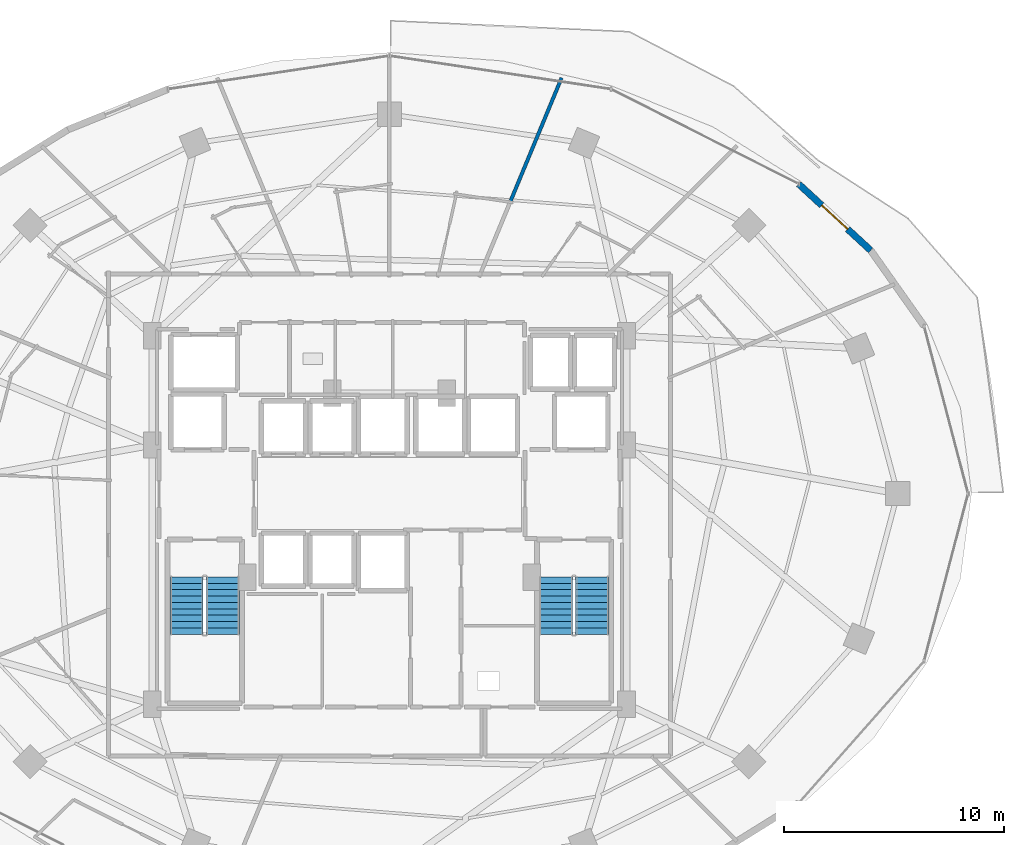
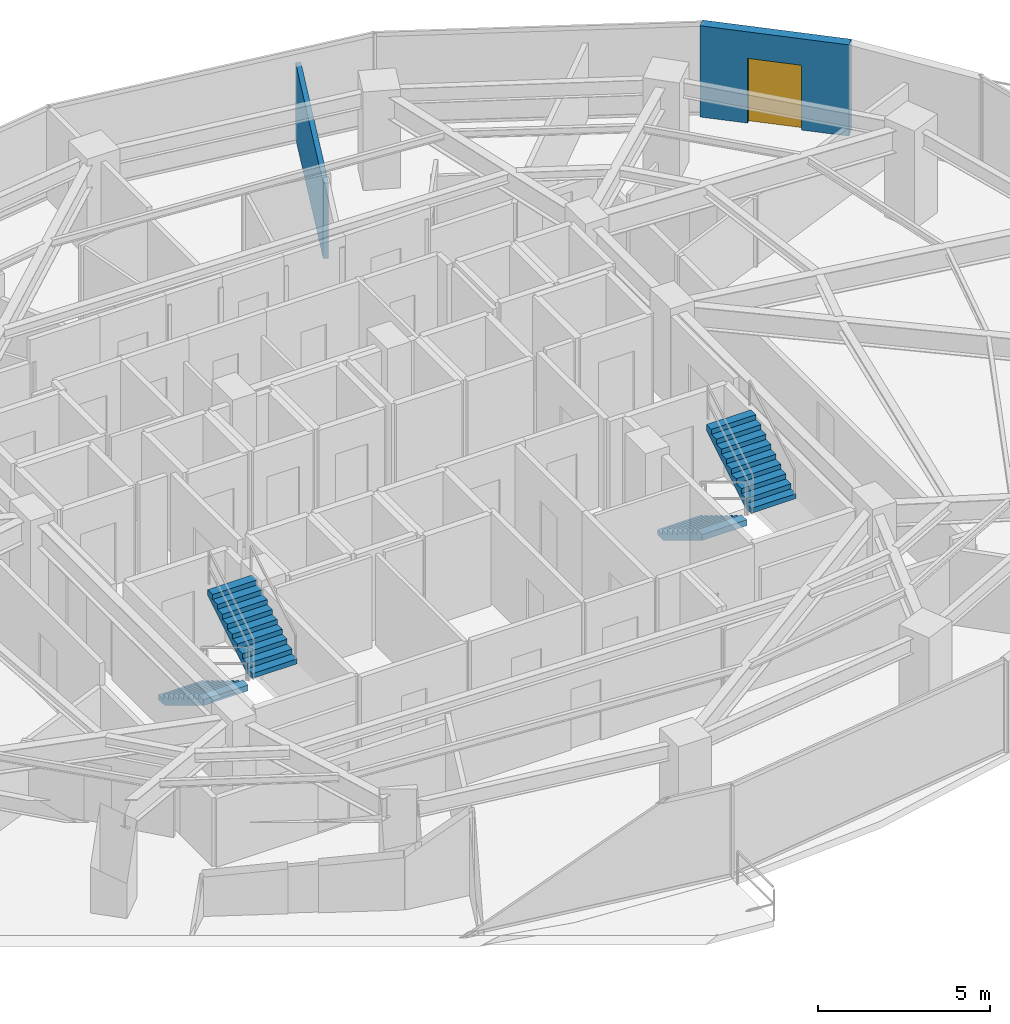
# One storey, part 28 of 31: 4 stair flights, 2 walls, 1 door, 1 opening, 2 elements without a shape of their own.
"""IFC4 building model written with IfcOpenShell, lengths in metres."""

from ifc_helpers import new_model, si_unit, direction, frame, frame_2d, origin, place, context, subcontext, project, spatial, polyline, rectangle, outline, extrude, material, layer, layer_set, type_object, element, fill, aggregate, save


model = new_model("IFC4")

# Units and contexts
model_context = context("Model", 3, precision=1e-05, world=origin(), true_north=direction((0.0, 1.0)))
body_context = subcontext(model_context, "Body", "Model", "MODEL_VIEW")
ifc_project = project(units=[si_unit("LENGTHUNIT", "METRE"), si_unit("AREAUNIT", "SQUARE_METRE"), si_unit("VOLUMEUNIT", "CUBIC_METRE"), si_unit("PLANEANGLEUNIT", "RADIAN"), si_unit("MASSUNIT", "GRAM", prefix="KILO")], contexts=[model_context])

# Site, building, storey
site_placement = place(None, origin())
site = spatial("IfcSite", under=ifc_project, at=site_placement, CompositionType="ELEMENT")
building_placement = place(site_placement, origin())
building = spatial("IfcBuilding", under=site, at=building_placement, Name="Vorneva Point Tower", CompositionType="ELEMENT")
storey_placement = place(building_placement, frame((0.0, 0.0, 103.300048828125)))
storey = spatial("IfcBuildingStorey", under=building, at=storey_placement, Name="L27", CompositionType="ELEMENT", Elevation=103.300048828125)

# Wall, opening, door
ifc_material_1 = material(Name="Precast concrete B50 (C40/50)", Category="concrete")
ifc_layer_1 = layer(ifc_material_1, 0.300048828125)
ifc_layer_set_1 = layer_set([ifc_layer_1], Name="Precast concrete B50 (C40/50)")
wall_type_1 = type_object("IfcWallType", Name="WL-EXT-300", PredefinedType="STANDARD", material=ifc_layer_set_1)
wall_1_placement = place(storey_placement, frame((59.826171875, 37.028076171875, 0.0), z_axis=(0.0, 0.0, 1.0), x_axis=(-0.735416718093, 0.677615119924, 0.0)))
wall_1 = element("IfcWall", 1, at=wall_1_placement, inside=storey, type_object=wall_type_1, Name="L27 Pale-Metal Facade Spandrel Wall 02.2", PredefinedType="STANDARD", context=body_context, shape_type="SweptSolid", body=[
    extrude(rectangle(XDim=4.439208984375, YDim=0.300048828125, at=frame_2d((2.2197265625, 0.0))), origin(), (0.0, 0.0, 1.0), 3.239990234375),
])
opening_placement = place(wall_1_placement, frame((1.41943359375, 0.0, 0.0)))
opening = element("IfcOpeningElement", 2, at=opening_placement, cuts=wall_1, Name="Opening BD-01", PredefinedType="OPENING", context=body_context, shape_type="SweptSolid", body=[
    extrude(rectangle(XDim=1.60009765625, YDim=2.300048828125, at=frame_2d((0.800048828125, 1.14990234375))), frame((0.0, 0.1650390625, 0.0), z_axis=(0.0, -1.0, 0.0), x_axis=(1.0, 0.0, 0.0)), (0.0, 0.0, 1.0), 0.329833984375),
])
ifc_material_2 = material(Name="Pale anodised aluminium", Category="aluminium")
door_type = type_object("IfcDoorType", Name="DR-BAL-1600", OperationType="SLIDING_TO_LEFT", PredefinedType="DOOR", material=ifc_material_2)
door_placement = place(opening_placement, origin())
door = element("IfcDoor", 3, at=door_placement, inside=storey, type_object=door_type, Name="L27 Balcony Terrace Access Door 02", OperationType="SLIDING_TO_LEFT", OverallHeight=2.300048828125, OverallWidth=1.60009765625, PredefinedType="DOOR", context=body_context, shape_type="SweptSolid", body=[
    extrude(rectangle(XDim=1.60009765625, YDim=2.300048828125, at=frame_2d((0.800048828125, 1.14990234375))), frame((0.0, 0.02490234375, 0.0), z_axis=(0.0, -1.0, 0.0), x_axis=(1.0, 0.0, 0.0)), (0.0, 0.0, 1.0), 0.050048828125),
])
fill(opening, door)

# Wall
ifc_material_3 = material(Name="Fire-rated acoustic gypsum stud partition", Category="gypsum")
ifc_layer_2 = layer(ifc_material_3, 0.159912109375)
ifc_layer_set_2 = layer_set([ifc_layer_2], Name="Fire-rated acoustic gypsum stud partition")
wall_type_2 = type_object("IfcWallType", Name="WL-PART-160", PredefinedType="PARTITIONING", material=ifc_layer_set_2)
wall_2_placement = place(storey_placement, frame((45.80810546875, 44.85107421875, 0.0), z_axis=(0.0, 0.0, 1.0), x_axis=(-0.382705075352, -0.923870567395, 0.0)))
element("IfcWall", 4, at=wall_2_placement, inside=storey, type_object=wall_type_2, Name="L27 Interior Partition 061", PredefinedType="PARTITIONING", context=body_context, shape_type="SweptSolid", body=[
    extrude(rectangle(XDim=6.164306640625, YDim=0.159912109375, at=frame_2d((3.08203125, 0.0))), origin(), (0.0, 0.0, 1.0), 2.677001953125),
])

# Stair, stair flights
ifc_material_4 = material(Name="Concrete B50 (C40/50)", Category="concrete")
stair_type = type_object("IfcStairType", Name="ST-DOG-1500", PredefinedType="HALF_TURN_STAIR", material=ifc_material_4)
stair_1_placement = place(storey_placement, origin())
stair_1 = element("IfcStair", 5, at=stair_1_placement, inside=storey, type_object=stair_type, Name="L27 ST1", PredefinedType="HALF_TURN_STAIR")
stair_flight_type = type_object("IfcStairFlightType", Name="STF-1500", PredefinedType="STRAIGHT", material=ifc_material_4)
stair_flight_1_placement = place(storey_placement, frame((28.800048828125, 22.219970703125, 0.0), z_axis=(0.0, 0.0, 1.0), x_axis=(0.0, -1.0, 0.0)))
stair_flight_1 = element("IfcStairFlight", 6, at=stair_flight_1_placement, type_object=stair_flight_type, Name="ST1 flight 1", NumberOfRisers=10, NumberOfTreads=9, PredefinedType="STRAIGHT", RiserHeight=0.175, TreadLength=0.29, context=body_context, shape_type="SweptSolid", body=[
    extrude(outline(polyline([(0.0, 0.0), (0.0, 0.175048828125), (0.2900390625, 0.175048828125), (0.2900390625, 0.35009765625), (0.580078125, 0.35009765625), (0.580078125, 0.52490234375), (0.8701171875, 0.52490234375), (0.8701171875, 0.699951171875), (1.159912109375, 0.699951171875), (1.159912109375, 0.875), (1.449951171875, 0.875), (1.449951171875, 1.050048828125), (1.739990234375, 1.050048828125), (1.739990234375, 1.22509765625), (2.030029296875, 1.22509765625), (2.030029296875, 1.39990234375), (2.320068359375, 1.39990234375), (2.320068359375, 1.574951171875), (2.610107421875, 1.574951171875), (2.610107421875, 1.75), (2.610107421875, 1.36474609375), (0.34814453125, 0.0), (0.0, 0.0)])), frame((0.0, 0.75, 0.0), z_axis=(0.0, -1.0, 0.0), x_axis=(1.0, 0.0, 0.0)), (0.0, 0.0, 1.0), 1.5),
])
stair_flight_2_placement = place(storey_placement, frame((30.449951171875, 19.610107421875, 1.75), z_axis=(0.0, 0.0, 1.0), x_axis=(0.0, 1.0, 0.0)))
stair_flight_2 = element("IfcStairFlight", 7, at=stair_flight_2_placement, type_object=stair_flight_type, Name="ST1 flight 2", NumberOfRisers=10, NumberOfTreads=9, PredefinedType="STRAIGHT", RiserHeight=0.175, TreadLength=0.29, context=body_context, shape_type="SweptSolid", body=[
    extrude(outline(polyline([(0.0, 0.0), (0.0, 0.175048828125), (0.2900390625, 0.175048828125), (0.2900390625, 0.35009765625), (0.580078125, 0.35009765625), (0.580078125, 0.52490234375), (0.8701171875, 0.52490234375), (0.8701171875, 0.699951171875), (1.159912109375, 0.699951171875), (1.159912109375, 0.875), (1.449951171875, 0.875), (1.449951171875, 1.050048828125), (1.739990234375, 1.050048828125), (1.739990234375, 1.22509765625), (2.030029296875, 1.22509765625), (2.030029296875, 1.39990234375), (2.320068359375, 1.39990234375), (2.320068359375, 1.574951171875), (2.610107421875, 1.574951171875), (2.610107421875, 1.75), (2.610107421875, 1.36474609375), (0.34814453125, 0.0), (0.0, 0.0)])), frame((0.0, 0.75, 0.0), z_axis=(0.0, -1.0, 0.0), x_axis=(1.0, 0.0, 0.0)), (0.0, 0.0, 1.0), 1.5),
])
aggregate(stair_1, [stair_flight_1, stair_flight_2])

stair_2_placement = place(storey_placement, origin())
stair_2 = element("IfcStair", 8, at=stair_2_placement, inside=storey, type_object=stair_type, Name="L27 ST2", PredefinedType="HALF_TURN_STAIR")
stair_flight_3_placement = place(storey_placement, frame((45.550048828125, 22.219970703125, 0.0), z_axis=(0.0, 0.0, 1.0), x_axis=(0.0, -1.0, 0.0)))
stair_flight_3 = element("IfcStairFlight", 9, at=stair_flight_3_placement, type_object=stair_flight_type, Name="ST2 flight 1", NumberOfRisers=10, NumberOfTreads=9, PredefinedType="STRAIGHT", RiserHeight=0.175, TreadLength=0.29, context=body_context, shape_type="SweptSolid", body=[
    extrude(outline(polyline([(0.0, 0.0), (0.0, 0.175048828125), (0.2900390625, 0.175048828125), (0.2900390625, 0.35009765625), (0.580078125, 0.35009765625), (0.580078125, 0.52490234375), (0.8701171875, 0.52490234375), (0.8701171875, 0.699951171875), (1.159912109375, 0.699951171875), (1.159912109375, 0.875), (1.449951171875, 0.875), (1.449951171875, 1.050048828125), (1.739990234375, 1.050048828125), (1.739990234375, 1.22509765625), (2.030029296875, 1.22509765625), (2.030029296875, 1.39990234375), (2.320068359375, 1.39990234375), (2.320068359375, 1.574951171875), (2.610107421875, 1.574951171875), (2.610107421875, 1.75), (2.610107421875, 1.36474609375), (0.34814453125, 0.0), (0.0, 0.0)])), frame((0.0, 0.75, 0.0), z_axis=(0.0, -1.0, 0.0), x_axis=(1.0, 0.0, 0.0)), (0.0, 0.0, 1.0), 1.5),
])
stair_flight_4_placement = place(storey_placement, frame((47.199951171875, 19.610107421875, 1.75), z_axis=(0.0, 0.0, 1.0), x_axis=(0.0, 1.0, 0.0)))
stair_flight_4 = element("IfcStairFlight", 10, at=stair_flight_4_placement, type_object=stair_flight_type, Name="ST2 flight 2", NumberOfRisers=10, NumberOfTreads=9, PredefinedType="STRAIGHT", RiserHeight=0.175, TreadLength=0.29, context=body_context, shape_type="SweptSolid", body=[
    extrude(outline(polyline([(0.0, 0.0), (0.0, 0.175048828125), (0.2900390625, 0.175048828125), (0.2900390625, 0.35009765625), (0.580078125, 0.35009765625), (0.580078125, 0.52490234375), (0.8701171875, 0.52490234375), (0.8701171875, 0.699951171875), (1.159912109375, 0.699951171875), (1.159912109375, 0.875), (1.449951171875, 0.875), (1.449951171875, 1.050048828125), (1.739990234375, 1.050048828125), (1.739990234375, 1.22509765625), (2.030029296875, 1.22509765625), (2.030029296875, 1.39990234375), (2.320068359375, 1.39990234375), (2.320068359375, 1.574951171875), (2.610107421875, 1.574951171875), (2.610107421875, 1.75), (2.610107421875, 1.36474609375), (0.34814453125, 0.0), (0.0, 0.0)])), frame((0.0, 0.75, 0.0), z_axis=(0.0, -1.0, 0.0), x_axis=(1.0, 0.0, 0.0)), (0.0, 0.0, 1.0), 1.5),
])
aggregate(stair_2, [stair_flight_3, stair_flight_4])

save(model, "model.ifc")
